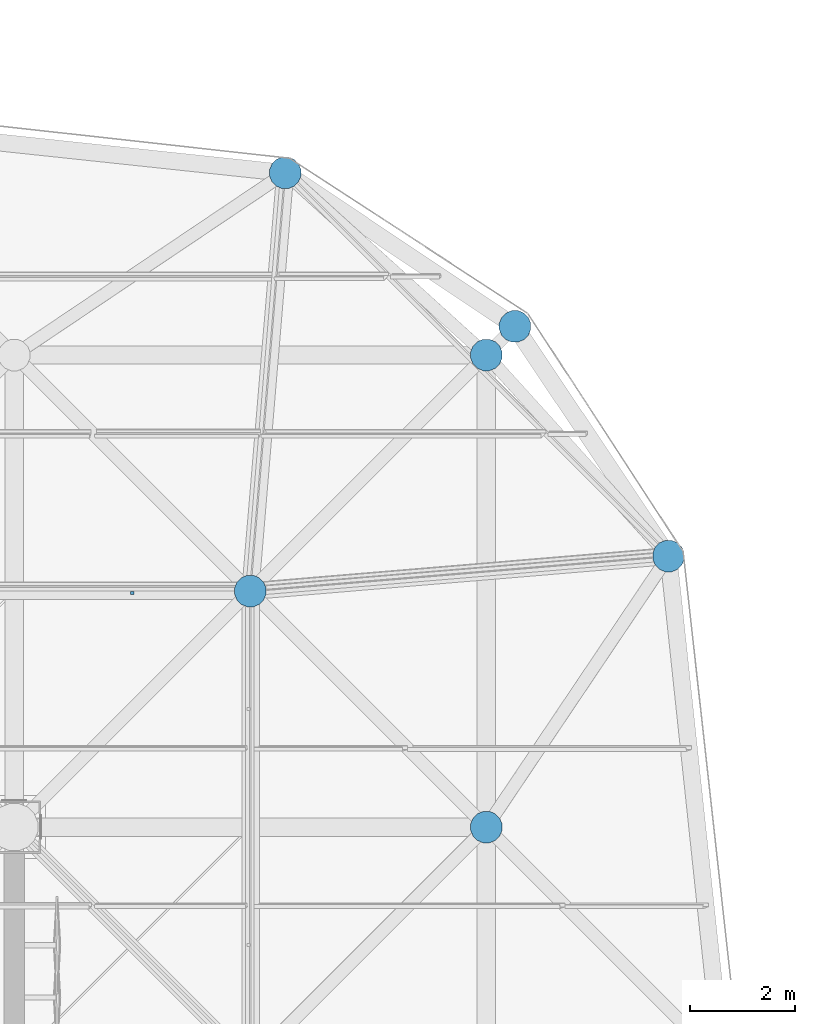
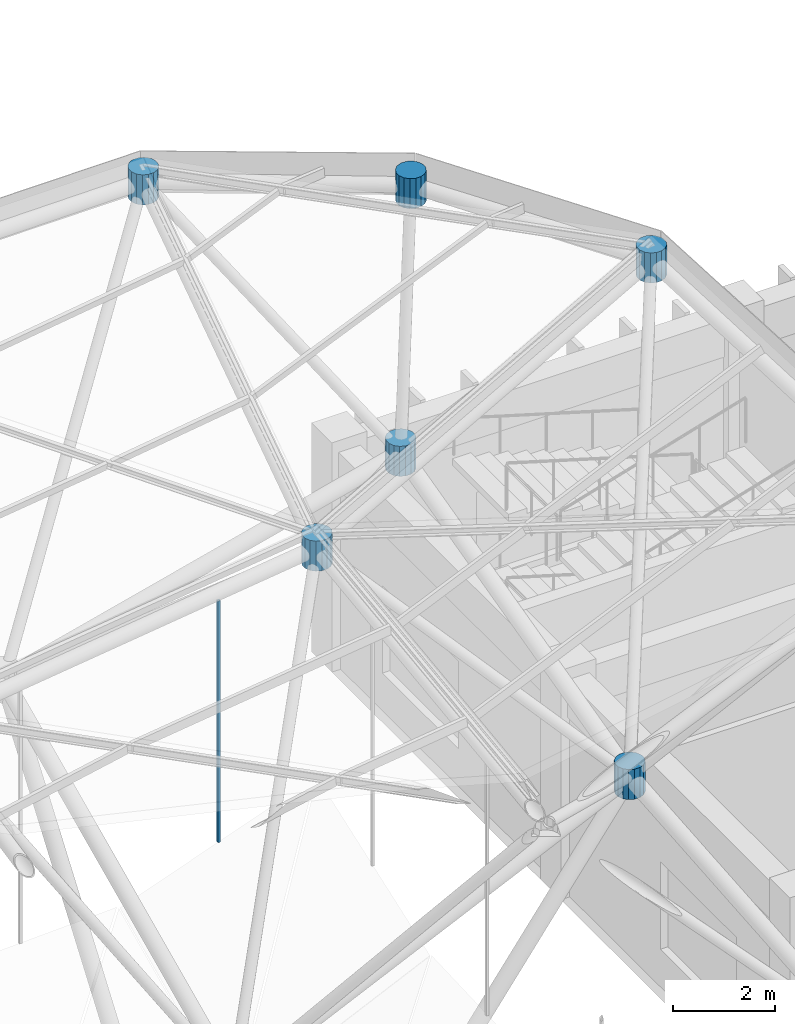
# One storey, part 341 of 437: 7 discrete accessories.
"""IFC4 building model written with IfcOpenShell, lengths in metres."""

from ifc_helpers import new_model, si_unit, direction, frame, origin, place, context, subcontext, project, spatial, polyline, outline, extrude, material, type_object, element, save


model = new_model("IFC4")

# Units and contexts
model_context = context("Model", 3, precision=1e-05, world=origin(), true_north=direction((0.0, 1.0)))
body_context = subcontext(model_context, "Body", "Model", "MODEL_VIEW")
ifc_project = project(units=[si_unit("LENGTHUNIT", "METRE"), si_unit("AREAUNIT", "SQUARE_METRE"), si_unit("VOLUMEUNIT", "CUBIC_METRE"), si_unit("PLANEANGLEUNIT", "RADIAN"), si_unit("MASSUNIT", "GRAM", prefix="KILO")], contexts=[model_context])

# Site, building, storey
site_placement = place(None, origin())
site = spatial("IfcSite", under=ifc_project, at=site_placement, CompositionType="ELEMENT")
building_placement = place(site_placement, origin())
building = spatial("IfcBuilding", under=site, at=building_placement, Name="Opaline Strait Convention Centre", CompositionType="ELEMENT")
storey_placement = place(building_placement, frame((0.0, 0.0, 11.5)))
storey = spatial("IfcBuildingStorey", under=building, at=storey_placement, Name="L02", CompositionType="ELEMENT", Elevation=11.5)

# Discrete accessories
ifc_material_1 = material(Name="Steel Q355B", Category="steel")
discrete_accessory_type_1 = type_object("IfcDiscreteAccessoryType", Name="Soffit hanger 60x60 steel", PredefinedType="BRACKET", material=ifc_material_1)
discrete_accessory_1_placement = place(storey_placement, frame((0.0, 0.0, 14.73193359375)))
element("IfcDiscreteAccessory", 1, at=discrete_accessory_1_placement, inside=storey, type_object=discrete_accessory_type_1, Name="Soffit hanger", PredefinedType="BRACKET", context=body_context, shape_type="SweptSolid", body=[
    extrude(outline(polyline([(263.219970703125, 157.43505859375), (263.280029296875, 157.43505859375), (263.280029296875, 157.4951171875), (263.219970703125, 157.4951171875), (263.219970703125, 157.43505859375)])), origin(), (0.0, 0.0, 1.0), 5.793701171875),
])
ifc_material_2 = material(Name="Cast steel ZG300-500H (300 MPa)", Category="steel")
discrete_accessory_type_2 = type_object("IfcDiscreteAccessoryType", Name="Space frame node hub D600", PredefinedType="USERDEFINED", material=ifc_material_2)
discrete_accessory_2_placement = place(storey_placement, frame((0.0, 0.0, 20.62109375)))
element("IfcDiscreteAccessory", 2, at=discrete_accessory_2_placement, inside=storey, type_object=discrete_accessory_type_2, Name="Top node 21/14", ObjectType="NODE HUB", PredefinedType="USERDEFINED", context=body_context, shape_type="SweptSolid", body=[
    extrude(outline(polyline([(265.800048828125, 157.559814453125), (265.75439453125, 157.669921875), (265.669921875, 157.75439453125), (265.559814453125, 157.800048828125), (265.440185546875, 157.800048828125), (265.330078125, 157.75439453125), (265.24560546875, 157.669921875), (265.199951171875, 157.559814453125), (265.199951171875, 157.440185546875), (265.24560546875, 157.330078125), (265.330078125, 157.24560546875), (265.440185546875, 157.199951171875), (265.559814453125, 157.199951171875), (265.669921875, 157.24560546875), (265.75439453125, 157.330078125), (265.800048828125, 157.440185546875), (265.800048828125, 157.559814453125)])), origin(), (0.0, 0.0, 1.0), 0.719970703125),
])
discrete_accessory_3_placement = place(storey_placement, frame((0.0, 0.0, 24.340087890625)))
element("IfcDiscreteAccessory", 3, at=discrete_accessory_3_placement, inside=storey, type_object=discrete_accessory_type_2, Name="Top node 21/15", ObjectType="NODE HUB", PredefinedType="USERDEFINED", context=body_context, shape_type="SweptSolid", body=[
    extrude(outline(polyline([(266.46630859375, 165.531982421875), (266.420654296875, 165.642333984375), (266.336181640625, 165.726806640625), (266.225830078125, 165.7724609375), (266.106689453125, 165.7724609375), (265.996337890625, 165.726806640625), (265.911865234375, 165.642333984375), (265.8662109375, 165.531982421875), (265.8662109375, 165.41259765625), (265.911865234375, 165.302490234375), (265.996337890625, 165.218017578125), (266.106689453125, 165.17236328125), (266.225830078125, 165.17236328125), (266.336181640625, 165.218017578125), (266.420654296875, 165.302490234375), (266.46630859375, 165.41259765625), (266.46630859375, 165.531982421875)])), origin(), (0.0, 0.0, 1.0), 0.719970703125),
])
discrete_accessory_4_placement = place(storey_placement, frame((0.0, 0.0, 24.340087890625)))
element("IfcDiscreteAccessory", 4, at=discrete_accessory_4_placement, inside=storey, type_object=discrete_accessory_type_2, Name="Top node 22/14", ObjectType="NODE HUB", PredefinedType="USERDEFINED", context=body_context, shape_type="SweptSolid", body=[
    extrude(outline(polyline([(273.7724609375, 158.225830078125), (273.726806640625, 158.336181640625), (273.642333984375, 158.420654296875), (273.531982421875, 158.46630859375), (273.41259765625, 158.46630859375), (273.302490234375, 158.420654296875), (273.218017578125, 158.336181640625), (273.17236328125, 158.225830078125), (273.17236328125, 158.106689453125), (273.218017578125, 157.996337890625), (273.302490234375, 157.911865234375), (273.41259765625, 157.8662109375), (273.531982421875, 157.8662109375), (273.642333984375, 157.911865234375), (273.726806640625, 157.996337890625), (273.7724609375, 158.106689453125), (273.7724609375, 158.225830078125)])), origin(), (0.0, 0.0, 1.0), 0.719970703125),
])
discrete_accessory_5_placement = place(storey_placement, frame((0.0, 0.0, 24.490478515625)))
element("IfcDiscreteAccessory", 5, at=discrete_accessory_5_placement, inside=storey, type_object=discrete_accessory_type_2, Name="Top node 22/15", ObjectType="NODE HUB", PredefinedType="USERDEFINED", context=body_context, shape_type="SweptSolid", body=[
    extrude(outline(polyline([(270.845947265625, 162.605712890625), (270.80029296875, 162.7158203125), (270.7158203125, 162.80029296875), (270.605712890625, 162.845947265625), (270.486328125, 162.845947265625), (270.3759765625, 162.80029296875), (270.29150390625, 162.7158203125), (270.245849609375, 162.605712890625), (270.245849609375, 162.486328125), (270.29150390625, 162.3759765625), (270.3759765625, 162.29150390625), (270.486328125, 162.245849609375), (270.605712890625, 162.245849609375), (270.7158203125, 162.29150390625), (270.80029296875, 162.3759765625), (270.845947265625, 162.486328125), (270.845947265625, 162.605712890625)])), origin(), (0.0, 0.0, 1.0), 0.719970703125),
])
discrete_accessory_6_placement = place(storey_placement, frame((0.0, 0.0, 16.29638671875)))
element("IfcDiscreteAccessory", 6, at=discrete_accessory_6_placement, inside=storey, type_object=discrete_accessory_type_2, Name="Bottom node 21/13", ObjectType="NODE HUB", PredefinedType="USERDEFINED", context=body_context, shape_type="SweptSolid", body=[
    extrude(outline(polyline([(270.300048828125, 153.059814453125), (270.25439453125, 153.169921875), (270.169921875, 153.25439453125), (270.059814453125, 153.300048828125), (269.940185546875, 153.300048828125), (269.830078125, 153.25439453125), (269.74560546875, 153.169921875), (269.699951171875, 153.059814453125), (269.699951171875, 152.940185546875), (269.74560546875, 152.830078125), (269.830078125, 152.74560546875), (269.940185546875, 152.699951171875), (270.059814453125, 152.699951171875), (270.169921875, 152.74560546875), (270.25439453125, 152.830078125), (270.300048828125, 152.940185546875), (270.300048828125, 153.059814453125)])), origin(), (0.0, 0.0, 1.0), 0.719970703125),
])
discrete_accessory_7_placement = place(storey_placement, frame((0.0, 0.0, 18.592041015625)))
element("IfcDiscreteAccessory", 7, at=discrete_accessory_7_placement, inside=storey, type_object=discrete_accessory_type_2, Name="Bottom node 21/14", ObjectType="NODE HUB", PredefinedType="USERDEFINED", context=body_context, shape_type="SweptSolid", body=[
    extrude(outline(polyline([(270.300048828125, 162.059814453125), (270.25439453125, 162.169921875), (270.169921875, 162.25439453125), (270.059814453125, 162.300048828125), (269.940185546875, 162.300048828125), (269.830078125, 162.25439453125), (269.74560546875, 162.169921875), (269.699951171875, 162.059814453125), (269.699951171875, 161.940185546875), (269.74560546875, 161.830078125), (269.830078125, 161.74560546875), (269.940185546875, 161.699951171875), (270.059814453125, 161.699951171875), (270.169921875, 161.74560546875), (270.25439453125, 161.830078125), (270.300048828125, 161.940185546875), (270.300048828125, 162.059814453125)])), origin(), (0.0, 0.0, 1.0), 0.719970703125),
])

save(model, "model.ifc")
